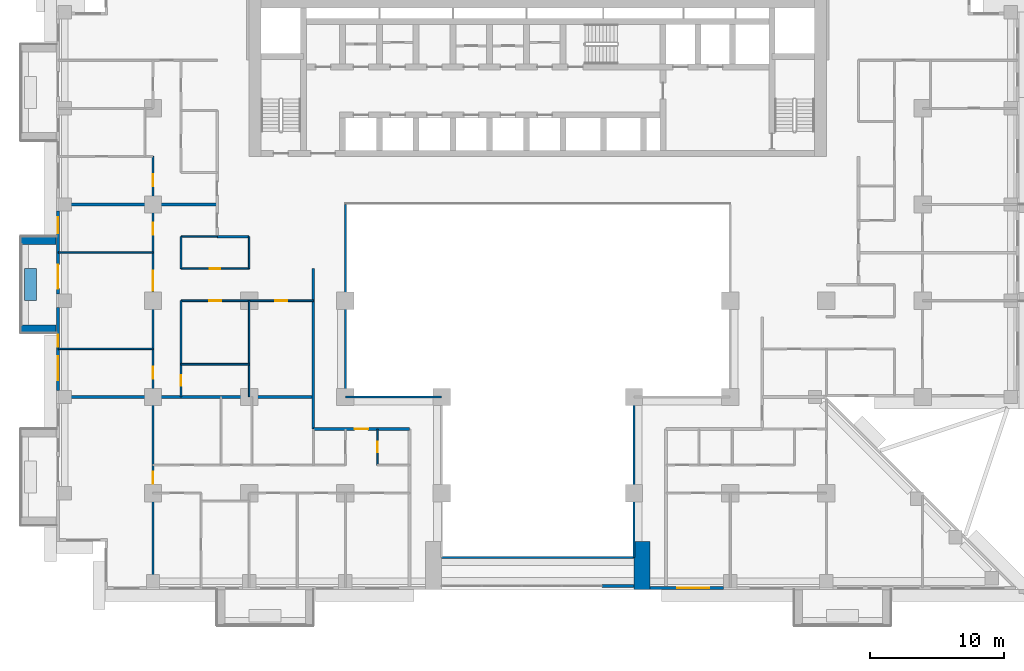
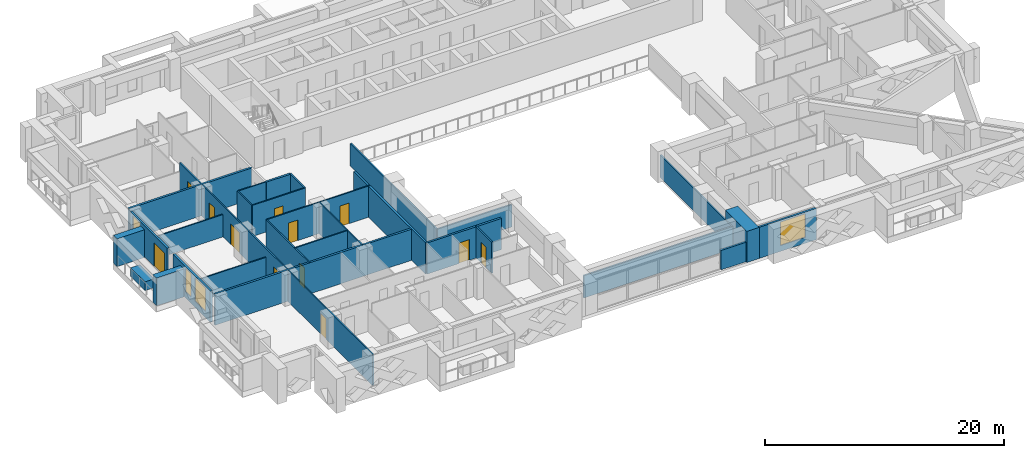
# One storey, part 7 of 17: 29 walls, 12 doors, 4 windows, 16 openings.
"""IFC4 building model written with IfcOpenShell, lengths in metres."""

import ifcopenshell
import ifcopenshell.guid

model = None  # the IFC model being written
_history = None  # IfcOwnerHistory: only IFC2X3 demands one
_inside = {}  # id of a spatial element -> (the spatial element, [elements in it])
_under = {}  # id of a project, library or spatial element -> (it, [spatial elements below it])
_declared = {}  # id of a project -> (the project, [libraries it declares])
_typed = {}  # id of a type object -> (the type object, [elements of that type])
_made_of = {}  # id of a material, layer set ... -> (it, [elements and type objects made of it])


def new_model(schema):
    """Start an empty IFC model of exactly this schema.

    Asked for "IFC4X3", IfcOpenShell would pick the latest addendum, in which some entities
    have other attributes; the version numbers below select the first issue.
    IFC2X3 requires an IfcOwnerHistory on every rooted entity: one is made here for all.
    """
    global model, _history
    if schema == "IFC4X3":
        model = ifcopenshell.file(schema_version=(4, 3, 0, 0))
    else:
        model = ifcopenshell.file(schema=schema)
    _inside.clear()
    _under.clear()
    _declared.clear()
    _typed.clear()
    _made_of.clear()
    _history = None
    if model.schema == "IFC2X3":
        org = make("IfcOrganization", Name="unknown")
        user = make(
            "IfcPersonAndOrganization",
            ThePerson=make("IfcPerson", FamilyName="unknown"),
            TheOrganization=org,
        )
        app = make(
            "IfcApplication",
            ApplicationDeveloper=org,
            Version="unknown",
            ApplicationFullName="unknown",
            ApplicationIdentifier="unknown",
        )
        _history = make(
            "IfcOwnerHistory",
            OwningUser=user,
            OwningApplication=app,
            ChangeAction="ADDED",
            CreationDate=0,
        )
    return model


def make(cls, **values):
    """One entity of the class cls with the attributes given. An attribute that is None is left unset."""
    return model.create_entity(
        cls, **{name: value for name, value in values.items() if value is not None}
    )


def rooted(cls, **values):
    """An entity with a GlobalId (a new one), such as an element, a storey or a relation."""
    return make(cls, GlobalId=ifcopenshell.guid.new(), OwnerHistory=_history, **values)


def si_unit(unit_type, name, prefix=None):
    """IfcSIUnit, for example si_unit("LENGTHUNIT", "METRE", prefix="MILLI")."""
    return make("IfcSIUnit", UnitType=unit_type, Prefix=prefix, Name=name)


def assignment(units):
    """IfcUnitAssignment: the units of a project."""
    return None if units is None else make("IfcUnitAssignment", Units=units)


def point(xyz):
    """IfcCartesianPoint."""
    return None if xyz is None else make("IfcCartesianPoint", Coordinates=xyz)


def direction(xyz):
    """IfcDirection."""
    return None if xyz is None else make("IfcDirection", DirectionRatios=xyz)


def frame(location, z_axis=None, x_axis=None):
    """IfcAxis2Placement3D, a coordinate frame: its origin and axes. An axis left out is left unset."""
    return make(
        "IfcAxis2Placement3D",
        Location=point(location),
        Axis=direction(z_axis),
        RefDirection=direction(x_axis),
    )


def frame_2d(location, x_axis=None):
    """IfcAxis2Placement2D, a coordinate frame in the plane: its origin and x axis."""
    return make(
        "IfcAxis2Placement2D", Location=point(location), RefDirection=direction(x_axis)
    )


def origin():
    """The frame at (0, 0, 0) with its axes left unset."""
    return frame((0.0, 0.0, 0.0))


def place(relative_to, where):
    """IfcLocalPlacement: puts the frame where relative to a parent placement (None: the world)."""
    return make(
        "IfcLocalPlacement", PlacementRelTo=relative_to, RelativePlacement=where
    )


def context(
    kind, dimensions, precision=None, world=None, true_north=None, identifier=None
):
    """IfcGeometricRepresentationContext, for example the 3D "Model" context."""
    return make(
        "IfcGeometricRepresentationContext",
        ContextIdentifier=identifier,
        ContextType=kind,
        CoordinateSpaceDimension=dimensions,
        Precision=precision,
        WorldCoordinateSystem=world,
        TrueNorth=true_north,
    )


def subcontext(parent, identifier, kind, view, scale=None):
    """IfcGeometricRepresentationSubContext, for example "Body" below "Model"."""
    return make(
        "IfcGeometricRepresentationSubContext",
        ContextIdentifier=identifier,
        ContextType=kind,
        ParentContext=parent,
        TargetScale=scale,
        TargetView=view,
    )


def project(units=None, contexts=None):
    """IfcProject with its units and contexts."""
    return rooted(
        "IfcProject",
        Name="project",
        RepresentationContexts=contexts,
        UnitsInContext=assignment(units),
    )


def spatial(cls, under=None, at=None, **own):
    """A site, building, storey or space (cls), placed at a placement, below another one or the project."""
    s = rooted(cls, ObjectPlacement=at, **own)
    if under is not None:
        _under.setdefault(under.id(), (under, []))[1].append(s)
    return s


def profile(cls, at=None, kind="AREA", **sizes):
    """A parametric profile (cls). Its sizes go by their IFC names, for example OverallWidth=200.0."""
    return make(cls, ProfileType=kind, Position=at, **sizes)


def rectangle(**sizes):
    """IfcRectangleProfileDef."""
    return profile("IfcRectangleProfileDef", **sizes)


def extrude(swept, where, along, depth):
    """IfcExtrudedAreaSolid: the profile swept, set in the frame where, extruded along a direction by depth."""
    return make(
        "IfcExtrudedAreaSolid",
        SweptArea=swept,
        Position=where,
        ExtrudedDirection=direction(along),
        Depth=depth,
    )


def shape(context_of_items, identifier, shape_type, items):
    """IfcShapeRepresentation: the items that make up one representation, for example the "Body"."""
    return make(
        "IfcShapeRepresentation",
        ContextOfItems=context_of_items,
        RepresentationIdentifier=identifier,
        RepresentationType=shape_type,
        Items=items,
    )


def material(Name=None, Category=None):
    """IfcMaterial."""
    return make("IfcMaterial", Name=Name, Category=Category)


def layer(
    of_material, thickness, ventilated=None, Name=None, Category=None, Priority=None
):
    """IfcMaterialLayer: one layer of a wall or slab, of a material (None: an air gap)."""
    return make(
        "IfcMaterialLayer",
        Material=of_material,
        LayerThickness=thickness,
        IsVentilated=ventilated,
        Name=Name,
        Category=Category,
        Priority=Priority,
    )


def layer_set(layers, Name=None):
    """IfcMaterialLayerSet."""
    return make("IfcMaterialLayerSet", MaterialLayers=layers, LayerSetName=Name)


def made_of(thing, what):
    """Note that an element or type object is made of a material, layer set ...; save() writes the relation."""
    if what is not None:
        _made_of.setdefault(what.id(), (what, []))[1].append(thing)
    return thing


def type_object(cls, material=None, **own):
    """A type object (cls), such as IfcWallType, which elements share."""
    return made_of(rooted(cls, **own), material)


def element(
    cls,
    number,
    at=None,
    inside=None,
    cuts=None,
    type_object=None,
    material=None,
    context=None,
    identifier="Body",
    shape_type=None,
    held_by="IfcProductDefinitionShape",
    body=None,
    shapes=None,
    **own,
):
    """One element of the class cls, such as IfcWall. Its Tag is "e" and its number.

    at: its placement. inside: the storey or other place that contains it. cuts: it is an
    opening in that element (IfcRelVoidsElement). A single representation is given by context,
    identifier, shape_type and body (its items); several are given by shapes. held_by: the class
    of the entity that holds the representations. save() writes the other relations.
    """
    e = rooted(cls, Tag="e%d" % number, ObjectPlacement=at, **own)
    if body is not None:
        shapes = [shape(context, identifier, shape_type, body)]
    if shapes is not None:
        e.Representation = make(held_by, Representations=shapes)
    if inside is not None:
        _inside.setdefault(inside.id(), (inside, []))[1].append(e)
    if cuts is not None:
        rooted(
            "IfcRelVoidsElement", RelatingBuildingElement=cuts, RelatedOpeningElement=e
        )
    if type_object is not None:
        _typed.setdefault(type_object.id(), (type_object, []))[1].append(e)
    return made_of(e, material)


def fill(opening, filler):
    """IfcRelFillsElement: the door or window that sits in an opening."""
    return rooted(
        "IfcRelFillsElement",
        RelatingOpeningElement=opening,
        RelatedBuildingElement=filler,
    )


def aggregate(whole, parts):
    """IfcRelAggregates: a whole, such as a stair, and the parts it consists of."""
    return rooted("IfcRelAggregates", RelatingObject=whole, RelatedObjects=parts)


def save(model, path):
    """Write the relations noted so far, then the file.

    IfcRelAggregates (storeys below a building ...), IfcRelContainedInSpatialStructure (elements
    in a storey), IfcRelDefinesByType, IfcRelAssociatesMaterial and IfcRelDeclares: one each for
    every whole, place, type object, material and project.
    """
    for whole, parts in _under.values():
        aggregate(whole, parts)
    for where, things in _inside.values():
        rooted(
            "IfcRelContainedInSpatialStructure",
            RelatedElements=things,
            RelatingStructure=where,
        )
    for kind, things in _typed.values():
        rooted("IfcRelDefinesByType", RelatedObjects=things, RelatingType=kind)
    for what, things in _made_of.values():
        rooted("IfcRelAssociatesMaterial", RelatedObjects=things, RelatingMaterial=what)
    for by, libraries in _declared.values():
        rooted("IfcRelDeclares", RelatingContext=by, RelatedDefinitions=libraries)
    model.write(path)


model = new_model("IFC4")

# Units and contexts
model_context = context("Model", 3, precision=1e-05, world=origin(), true_north=direction((0.0, 1.0)))
body_context = subcontext(model_context, "Body", "Model", "MODEL_VIEW")
ifc_project = project(units=[si_unit("LENGTHUNIT", "METRE"), si_unit("AREAUNIT", "SQUARE_METRE"), si_unit("VOLUMEUNIT", "CUBIC_METRE"), si_unit("PLANEANGLEUNIT", "RADIAN"), si_unit("MASSUNIT", "GRAM", prefix="KILO")], contexts=[model_context])

# Site, building, storey
site_placement = place(None, origin())
site = spatial("IfcSite", under=ifc_project, at=site_placement, CompositionType="ELEMENT")
building_placement = place(site_placement, origin())
building = spatial("IfcBuilding", under=site, at=building_placement, Name="Saffron Iwan Residences", CompositionType="ELEMENT")
storey_placement = place(building_placement, frame((0.0, 0.0, 86.5)))
storey = spatial("IfcBuildingStorey", under=building, at=storey_placement, Name="L22", CompositionType="ELEMENT", Elevation=86.5)

# Walls
ifc_material_1 = material(Name="Fire-rated glazing", Category="glass")
ifc_layer_1 = layer(ifc_material_1, 0.14990234375)
ifc_layer_set_1 = layer_set([ifc_layer_1], Name="Fire-rated glazing")
wall_type_1 = type_object("IfcWallType", Name="Atrium glazed screen 150", PredefinedType="SOLIDWALL", material=ifc_layer_set_1)
wall_1_placement = place(storey_placement, frame((43.199951171875, 36.0, 0.0), z_axis=(0.0, 0.0, 1.0), x_axis=(1.0, 0.0, 0.0)))
element("IfcWall", 1, at=wall_1_placement, inside=storey, type_object=wall_type_1, Name="W-L22-SCREEN-h36-43.2", PredefinedType="SOLIDWALL", context=body_context, shape_type="SweptSolid", body=[
    extrude(rectangle(XDim=14.400146484375, YDim=0.14990234375, at=frame_2d((7.2001953125, 0.0))), origin(), (0.0, 0.0, 1.0), 2.280029296875),
])
wall_2_placement = place(storey_placement, frame((36.0, 48.0, 0.0), z_axis=(0.0, 0.0, 1.0), x_axis=(1.0, 0.0, 0.0)))
element("IfcWall", 2, at=wall_2_placement, inside=storey, type_object=wall_type_1, Name="W-L22-SCREEN-h48-36", PredefinedType="SOLIDWALL", context=body_context, shape_type="SweptSolid", body=[
    extrude(rectangle(XDim=7.199951171875, YDim=0.14990234375, at=frame_2d((3.60009765625, 0.0))), origin(), (0.0, 0.0, 1.0), 2.280029296875),
])
wall_3_placement = place(storey_placement, frame((36.0, 48.0, 0.0), z_axis=(0.0, 0.0, 1.0), x_axis=(0.0, 1.0, 0.0)))
element("IfcWall", 3, at=wall_3_placement, inside=storey, type_object=wall_type_1, Name="W-L22-SCREEN-v36-48", PredefinedType="SOLIDWALL", context=body_context, shape_type="SweptSolid", body=[
    extrude(rectangle(XDim=14.39990234375, YDim=0.14990234375, at=frame_2d((7.199951171875, 0.0))), origin(), (0.0, 0.0, 1.0), 2.280029296875),
])
wall_4_placement = place(storey_placement, frame((57.60009765625, 36.0, 0.0), z_axis=(0.0, 0.0, 1.0), x_axis=(0.0, 1.0, 0.0)))
element("IfcWall", 4, at=wall_4_placement, inside=storey, type_object=wall_type_1, Name="W-L22-SCREEN-v57.6-36", PredefinedType="SOLIDWALL", context=body_context, shape_type="SweptSolid", body=[
    extrude(rectangle(XDim=12.0, YDim=0.14990234375, at=frame_2d((6.0, 0.0))), origin(), (0.0, 0.0, 1.0), 2.280029296875),
])
ifc_material_2 = material(Name="Concrete C50/60 white painted", Category="concrete")
ifc_layer_2 = layer(ifc_material_2, 0.60009765625)
ifc_layer_set_2 = layer_set([ifc_layer_2], Name="Concrete C50/60 white painted")
wall_type_2 = type_object("IfcWallType", Name="BALCONY FIN 600", PredefinedType="SOLIDWALL", material=ifc_layer_set_2)
for number, where, z_axis, x_axis, name in (
    (5, (14.35009765625, 59.699951171875, 0.0), (0.0, 0.0, 1.0), (-1.0, 0.0, 0.0), "Balcony fin L22 F8-1a"),
    (6, (14.35009765625, 53.10009765625, 0.0), (0.0, 0.0, 1.0), (-1.0, 0.0, 0.0), "Balcony fin L22 F8-1b"),
):
    element("IfcWall", number, at=place(storey_placement, frame(where, z_axis=z_axis, x_axis=x_axis)), inside=storey, type_object=wall_type_2, Name=name, PredefinedType="SOLIDWALL", context=body_context, shape_type="SweptSolid", body=[
        extrude(rectangle(XDim=2.650146484375, YDim=0.60009765625, at=frame_2d((1.3251953125, 0.0))), origin(), (0.0, 0.0, 1.0), 2.85009765625),
    ])
ifc_material_3 = material(Name="Concrete C35/45 white painted", Category="concrete")
ifc_layer_3 = layer(ifc_material_3, 0.14990234375)
ifc_layer_set_3 = layer_set([ifc_layer_3], Name="Concrete C35/45 white painted")
wall_type_3 = type_object("IfcWallType", Name="BALCONY PLANTER", PredefinedType="SOLIDWALL", material=ifc_layer_set_3)
wall_5_placement = place(storey_placement, frame((12.425048828125, 57.60009765625, 0.0), z_axis=(0.0, 0.0, 1.0), x_axis=(0.0, -1.0, 0.0)))
element("IfcWall", 7, at=wall_5_placement, inside=storey, type_object=wall_type_3, Name="PLANTER L22 F8-1", PredefinedType="SOLIDWALL", context=body_context, shape_type="SweptSolid", body=[
    extrude(rectangle(XDim=2.400146484375, YDim=0.89990234375, at=frame_2d((1.2001953125, 0.0))), origin(), (0.0, 0.0, 1.0), 0.89990234375),
])

# Wall, openings, door, window
ifc_material_4 = material(Name="Concrete C40/50", Category="concrete")
ifc_layer_4 = layer(ifc_material_4, 0.199951171875)
ifc_layer_set_4 = layer_set([ifc_layer_4], Name="Concrete C40/50")
wall_type_4 = type_object("IfcWallType", Name="EXTERNAL WALL 200", PredefinedType="SOLIDWALL", material=ifc_layer_set_4)
wall_6_placement = place(storey_placement, frame((14.5, 61.89990234375, 0.0), z_axis=(0.0, 0.0, 1.0), x_axis=(0.0, -1.0, 0.0)))
wall_6 = element("IfcWall", 8, at=wall_6_placement, inside=storey, type_object=wall_type_4, Name="External wall L22 F8.2", PredefinedType="SOLIDWALL", context=body_context, shape_type="SweptSolid", body=[
    extrude(rectangle(XDim=6.199951171875, YDim=0.199951171875, at=frame_2d((3.10009765625, 0.0))), origin(), (0.0, 0.0, 1.0), 3.179931640625),
])
opening_1_placement = place(wall_6_placement, frame((4.0, 0.0, 0.0)))
opening_1 = element("IfcOpeningElement", 9, at=opening_1_placement, cuts=wall_6, Name="Opening BD1", PredefinedType="OPENING", context=body_context, shape_type="SweptSolid", body=[
    extrude(rectangle(XDim=1.800048828125, YDim=2.39990234375, at=frame_2d((0.89990234375, 1.199951171875))), frame((0.0, 0.10986328125, 0.0), z_axis=(0.0, -1.0, 0.0), x_axis=(1.0, 0.0, 0.0)), (0.0, 0.0, 1.0), 0.219970703125),
])
opening_2_placement = place(wall_6_placement, frame((0.449951171875, 0.0, 0.60009765625)))
opening_2 = element("IfcOpeningElement", 10, at=opening_2_placement, cuts=wall_6, Name="Opening W3", PredefinedType="OPENING", context=body_context, shape_type="SweptSolid", body=[
    extrude(rectangle(XDim=1.199951171875, YDim=2.39990234375, at=frame_2d((0.60009765625, 1.199951171875))), frame((0.0, 0.10986328125, 0.0), z_axis=(0.0, -1.0, 0.0), x_axis=(1.0, 0.0, 0.0)), (0.0, 0.0, 1.0), 0.219970703125),
])
ifc_material_5 = material(Name="Clear glass, laminated double glazed", Category="glass")
door_type_1 = type_object("IfcDoorType", Name="BALCONY DOOR 1800 x 2400", OperationType="DOUBLE_DOOR_SLIDING", PredefinedType="DOOR", material=ifc_material_5)
door_1_placement = place(opening_1_placement, origin())
door_1 = element("IfcDoor", 11, at=door_1_placement, inside=storey, type_object=door_type_1, Name="Balcony door L22 F8.0", OperationType="DOUBLE_DOOR_SLIDING", OverallHeight=2.39990234375, OverallWidth=1.800048828125, PredefinedType="DOOR", context=body_context, shape_type="SweptSolid", body=[
    extrude(rectangle(XDim=1.800048828125, YDim=2.39990234375, at=frame_2d((0.89990234375, 1.199951171875))), frame((0.0, 0.02490234375, 0.0), z_axis=(0.0, -1.0, 0.0), x_axis=(1.0, 0.0, 0.0)), (0.0, 0.0, 1.0), 0.050048828125),
])
fill(opening_1, door_1)
window_type_1 = type_object("IfcWindowType", Name="WINDOW 1200 x 2400", PartitioningType="SINGLE_PANEL", PredefinedType="WINDOW", material=ifc_material_5)
window_1_placement = place(opening_2_placement, origin())
window_1 = element("IfcWindow", 12, at=window_1_placement, inside=storey, type_object=window_type_1, Name="Window L22 F8.1", OverallHeight=2.39990234375, OverallWidth=1.199951171875, PartitioningType="SINGLE_PANEL", PredefinedType="WINDOW", context=body_context, shape_type="SweptSolid", body=[
    extrude(rectangle(XDim=1.199951171875, YDim=2.39990234375, at=frame_2d((0.60009765625, 1.199951171875))), frame((0.0, 0.030029296875, 0.0), z_axis=(0.0, -1.0, 0.0), x_axis=(1.0, 0.0, 0.0)), (0.0, 0.0, 1.0), 0.06005859375),
])
fill(opening_2, window_1)

# Wall, openings, windows
wall_7_placement = place(storey_placement, frame((14.5, 54.699951171875, 0.0), z_axis=(0.0, 0.0, 1.0), x_axis=(0.0, -1.0, 0.0)))
wall_7 = element("IfcWall", 13, at=wall_7_placement, inside=storey, type_object=wall_type_4, Name="External wall L22 F8.3", PredefinedType="SOLIDWALL", context=body_context, shape_type="SweptSolid", body=[
    extrude(rectangle(XDim=6.199951171875, YDim=0.199951171875, at=frame_2d((3.10009765625, 0.0))), origin(), (0.0, 0.0, 1.0), 3.179931640625),
])
opening_3_placement = place(wall_7_placement, frame((3.64990234375, 0.0, 0.60009765625)))
opening_3 = element("IfcOpeningElement", 14, at=opening_3_placement, cuts=wall_7, Name="Opening W8", PredefinedType="OPENING", context=body_context, shape_type="SweptSolid", body=[
    extrude(rectangle(XDim=1.800048828125, YDim=2.39990234375, at=frame_2d((0.89990234375, 1.199951171875))), frame((0.0, 0.10986328125, 0.0), z_axis=(0.0, -1.0, 0.0), x_axis=(1.0, 0.0, 0.0)), (0.0, 0.0, 1.0), 0.219970703125),
])
opening_4_placement = place(wall_7_placement, frame((2.050048828125, 0.0, 0.60009765625)))
opening_4 = element("IfcOpeningElement", 15, at=opening_4_placement, cuts=wall_7, Name="Opening W10", PredefinedType="OPENING", context=body_context, shape_type="SweptSolid", body=[
    extrude(rectangle(XDim=0.89990234375, YDim=2.39990234375, at=frame_2d((0.449951171875, 1.199951171875))), frame((0.0, 0.10986328125, 0.0), z_axis=(0.0, -1.0, 0.0), x_axis=(1.0, 0.0, 0.0)), (0.0, 0.0, 1.0), 0.219970703125),
])
window_type_2 = type_object("IfcWindowType", Name="WINDOW 1800 x 2400", PartitioningType="DOUBLE_PANEL_VERTICAL", PredefinedType="WINDOW", material=ifc_material_5)
window_2_placement = place(opening_3_placement, origin())
window_2 = element("IfcWindow", 16, at=window_2_placement, inside=storey, type_object=window_type_2, Name="Window L22 F8.0", OverallHeight=2.39990234375, OverallWidth=1.800048828125, PartitioningType="DOUBLE_PANEL_VERTICAL", PredefinedType="WINDOW", context=body_context, shape_type="SweptSolid", body=[
    extrude(rectangle(XDim=1.800048828125, YDim=2.39990234375, at=frame_2d((0.89990234375, 1.199951171875))), frame((0.0, 0.030029296875, 0.0), z_axis=(0.0, -1.0, 0.0), x_axis=(1.0, 0.0, 0.0)), (0.0, 0.0, 1.0), 0.06005859375),
])
fill(opening_3, window_2)
window_type_3 = type_object("IfcWindowType", Name="WINDOW 900 x 2400", PartitioningType="SINGLE_PANEL", PredefinedType="WINDOW", material=ifc_material_5)
window_3_placement = place(opening_4_placement, origin())
window_3 = element("IfcWindow", 17, at=window_3_placement, inside=storey, type_object=window_type_3, Name="Window L22 F8.1", OverallHeight=2.39990234375, OverallWidth=0.89990234375, PartitioningType="SINGLE_PANEL", PredefinedType="WINDOW", context=body_context, shape_type="SweptSolid", body=[
    extrude(rectangle(XDim=0.89990234375, YDim=2.39990234375, at=frame_2d((0.449951171875, 1.199951171875))), frame((0.0, 0.030029296875, 0.0), z_axis=(0.0, -1.0, 0.0), x_axis=(1.0, 0.0, 0.0)), (0.0, 0.0, 1.0), 0.06005859375),
])
fill(opening_4, window_3)

# Wall, opening, window
wall_8_placement = place(storey_placement, frame((58.800048828125, 33.699951171875, 0.0), z_axis=(0.0, 0.0, 1.0), x_axis=(1.0, 0.0, 0.0)))
wall_8 = element("IfcWall", 18, at=wall_8_placement, inside=storey, type_object=wall_type_4, Name="External wall L22 F11.4", PredefinedType="SOLIDWALL", context=body_context, shape_type="SweptSolid", body=[
    extrude(rectangle(XDim=5.5, YDim=0.199951171875, at=frame_2d((2.75, 0.0))), origin(), (0.0, 0.0, 1.0), 3.179931640625),
])
opening_5_placement = place(wall_8_placement, frame((2.050048828125, 0.0, 0.60009765625)))
opening_5 = element("IfcOpeningElement", 19, at=opening_5_placement, cuts=wall_8, Name="Opening W1", PredefinedType="OPENING", context=body_context, shape_type="SweptSolid", body=[
    extrude(rectangle(XDim=2.39990234375, YDim=2.39990234375, at=frame_2d((1.199951171875, 1.199951171875))), frame((0.0, 0.10986328125, 0.0), z_axis=(0.0, -1.0, 0.0), x_axis=(1.0, 0.0, 0.0)), (0.0, 0.0, 1.0), 0.219970703125),
])
window_type_4 = type_object("IfcWindowType", Name="WINDOW 2400 x 2400", PartitioningType="DOUBLE_PANEL_VERTICAL", PredefinedType="WINDOW", material=ifc_material_5)
window_4_placement = place(opening_5_placement, origin())
window_4 = element("IfcWindow", 20, at=window_4_placement, inside=storey, type_object=window_type_4, Name="Window L22 F11.0", OverallHeight=2.39990234375, OverallWidth=2.39990234375, PartitioningType="DOUBLE_PANEL_VERTICAL", PredefinedType="WINDOW", context=body_context, shape_type="SweptSolid", body=[
    extrude(rectangle(XDim=2.39990234375, YDim=2.39990234375, at=frame_2d((1.199951171875, 1.199951171875))), frame((0.0, 0.030029296875, 0.0), z_axis=(0.0, -1.0, 0.0), x_axis=(1.0, 0.0, 0.0)), (0.0, 0.0, 1.0), 0.06005859375),
])
fill(opening_5, window_4)

# Walls
wall_9_placement = place(storey_placement, frame((55.199951171875, 33.85009765625, 0.0), z_axis=(0.0, 0.0, 1.0), x_axis=(1.0, 0.0, 0.0)))
element("IfcWall", 21, at=wall_9_placement, inside=storey, type_object=wall_type_4, Name="External wall infill CWB-L22-0", PredefinedType="SOLIDWALL", context=body_context, shape_type="SweptSolid", body=[
    extrude(rectangle(XDim=2.400146484375, YDim=0.199951171875, at=frame_2d((1.2001953125, 0.0))), origin(), (0.0, 0.0, 1.0), 1.97998046875),
])
ifc_material_6 = material(Name="Fire-rated gypsum board wall")
ifc_layer_5 = layer(ifc_material_6, 0.199951171875)
ifc_layer_set_5 = layer_set([ifc_layer_5], Name="Fire-rated gypsum board wall")
wall_type_5 = type_object("IfcWallType", Name="Flat demising wall 200", PredefinedType="SOLIDWALL", material=ifc_layer_set_5)
wall_10_placement = place(storey_placement, frame((14.52490234375, 48.0, 0.0), z_axis=(0.0, 0.0, 1.0), x_axis=(1.0, 0.0, 0.0)))
element("IfcWall", 22, at=wall_10_placement, inside=storey, type_object=wall_type_5, Name="W-L22-DEMISE-h48-14.525", PredefinedType="SOLIDWALL", context=body_context, shape_type="SweptSolid", body=[
    extrude(rectangle(XDim=19.0751953125, YDim=0.199951171875, at=frame_2d((9.53759765625, 0.0))), origin(), (0.0, 0.0, 1.0), 3.179931640625),
])
wall_11_placement = place(storey_placement, frame((14.52490234375, 62.39990234375, 0.0), z_axis=(0.0, 0.0, 1.0), x_axis=(1.0, 0.0, 0.0)))
element("IfcWall", 23, at=wall_11_placement, inside=storey, type_object=wall_type_5, Name="W-L22-DEMISE-h62.4-14.525", PredefinedType="SOLIDWALL", context=body_context, shape_type="SweptSolid", body=[
    extrude(rectangle(XDim=11.875, YDim=0.199951171875, at=frame_2d((5.9375, 0.0))), origin(), (0.0, 0.0, 1.0), 3.179931640625),
])
ifc_material_7 = material(Name="Gypsum board partition")
ifc_layer_6 = layer(ifc_material_7, 0.1201171875)
ifc_layer_set_6 = layer_set([ifc_layer_6], Name="Gypsum board partition")
wall_type_6 = type_object("IfcWallType", Name="Flat partition 120", PredefinedType="PARTITIONING", material=ifc_layer_set_6)
wall_12_placement = place(storey_placement, frame((23.699951171875, 50.449951171875, 0.0), z_axis=(0.0, 0.0, 1.0), x_axis=(1.0, 0.0, 0.0)))
element("IfcWall", 24, at=wall_12_placement, inside=storey, type_object=wall_type_6, Name="W-L22-PART-h50.45-23.7", PredefinedType="PARTITIONING", context=body_context, shape_type="SweptSolid", body=[
    extrude(rectangle(XDim=5.10009765625, YDim=0.1201171875, at=frame_2d((2.550048828125, 0.0))), origin(), (0.0, 0.0, 1.0), 3.179931640625),
])
wall_13_placement = place(storey_placement, frame((14.52490234375, 51.60009765625, 0.0), z_axis=(0.0, 0.0, 1.0), x_axis=(1.0, 0.0, 0.0)))
element("IfcWall", 25, at=wall_13_placement, inside=storey, type_object=wall_type_6, Name="W-L22-PART-h51.6-14.525", PredefinedType="PARTITIONING", context=body_context, shape_type="SweptSolid", body=[
    extrude(rectangle(XDim=7.0751953125, YDim=0.1201171875, at=frame_2d((3.53759765625, 0.0))), origin(), (0.0, 0.0, 1.0), 2.280029296875),
])

# Wall, openings, doors
wall_14_placement = place(storey_placement, frame((23.699951171875, 55.199951171875, 0.0), z_axis=(0.0, 0.0, 1.0), x_axis=(1.0, 0.0, 0.0)))
wall_14 = element("IfcWall", 26, at=wall_14_placement, inside=storey, type_object=wall_type_6, Name="W-L22-PART-h55.2-23.7", PredefinedType="PARTITIONING", context=body_context, shape_type="SweptSolid", body=[
    extrude(rectangle(XDim=9.900146484375, YDim=0.1201171875, at=frame_2d((4.9501953125, 0.0))), origin(), (0.0, 0.0, 1.0), 3.179931640625),
])
opening_6_placement = place(wall_14_placement, frame((2.10009765625, 0.0, 0.0)))
opening_6 = element("IfcOpeningElement", 27, at=opening_6_placement, cuts=wall_14, Name="Opening FD2", PredefinedType="OPENING", context=body_context, shape_type="SweptSolid", body=[
    extrude(rectangle(XDim=0.89990234375, YDim=2.10009765625, at=frame_2d((0.449951171875, 1.050048828125))), frame((0.0, 0.070068359375, 0.0), z_axis=(0.0, -1.0, 0.0), x_axis=(1.0, 0.0, 0.0)), (0.0, 0.0, 1.0), 0.14013671875),
])
opening_7_placement = place(wall_14_placement, frame((7.050048828125, 0.0, 0.0)))
opening_7 = element("IfcOpeningElement", 28, at=opening_7_placement, cuts=wall_14, Name="Opening FD2", PredefinedType="OPENING", context=body_context, shape_type="SweptSolid", body=[
    extrude(rectangle(XDim=0.89990234375, YDim=2.10009765625, at=frame_2d((0.449951171875, 1.050048828125))), frame((0.0, 0.070068359375, 0.0), z_axis=(0.0, -1.0, 0.0), x_axis=(1.0, 0.0, 0.0)), (0.0, 0.0, 1.0), 0.14013671875),
])
ifc_material_8 = material(Name="Timber door", Category="wood")
door_type_2 = type_object("IfcDoorType", Name="Flat door 900", OperationType="NOTDEFINED", PredefinedType="DOOR", material=ifc_material_8)
door_2_placement = place(opening_6_placement, origin())
door_2 = element("IfcDoor", 29, at=door_2_placement, inside=storey, type_object=door_type_2, Name="Door L22-018", OperationType="SINGLE_SWING_RIGHT", OverallHeight=2.10009765625, OverallWidth=0.89990234375, PredefinedType="DOOR", context=body_context, shape_type="SweptSolid", body=[
    extrude(rectangle(XDim=0.89990234375, YDim=2.10009765625, at=frame_2d((0.449951171875, 1.050048828125))), frame((0.0, 0.02490234375, 0.0), z_axis=(0.0, -1.0, 0.0), x_axis=(1.0, 0.0, 0.0)), (0.0, 0.0, 1.0), 0.050048828125),
])
fill(opening_6, door_2)
door_3_placement = place(opening_7_placement, origin())
door_3 = element("IfcDoor", 30, at=door_3_placement, inside=storey, type_object=door_type_2, Name="Door L22-020", OperationType="SINGLE_SWING_LEFT", OverallHeight=2.10009765625, OverallWidth=0.89990234375, PredefinedType="DOOR", context=body_context, shape_type="SweptSolid", body=[
    extrude(rectangle(XDim=0.89990234375, YDim=2.10009765625, at=frame_2d((0.449951171875, 1.050048828125))), frame((0.0, 0.02490234375, 0.0), z_axis=(0.0, -1.0, 0.0), x_axis=(1.0, 0.0, 0.0)), (0.0, 0.0, 1.0), 0.050048828125),
])
fill(opening_7, door_3)

# Wall, opening, door
wall_15_placement = place(storey_placement, frame((23.699951171875, 57.60009765625, 0.0), z_axis=(0.0, 0.0, 1.0), x_axis=(1.0, 0.0, 0.0)))
wall_15 = element("IfcWall", 31, at=wall_15_placement, inside=storey, type_object=wall_type_6, Name="W-L22-PART-h57.6-23.7", PredefinedType="PARTITIONING", context=body_context, shape_type="SweptSolid", body=[
    extrude(rectangle(XDim=5.10009765625, YDim=0.1201171875, at=frame_2d((2.550048828125, 0.0))), origin(), (0.0, 0.0, 1.0), 3.179931640625),
])
opening_8_placement = place(wall_15_placement, frame((2.14990234375, 0.0, 0.0)))
opening_8 = element("IfcOpeningElement", 32, at=opening_8_placement, cuts=wall_15, Name="Opening FD3", PredefinedType="OPENING", context=body_context, shape_type="SweptSolid", body=[
    extrude(rectangle(XDim=0.800048828125, YDim=2.10009765625, at=frame_2d((0.39990234375, 1.050048828125))), frame((0.0, 0.070068359375, 0.0), z_axis=(0.0, -1.0, 0.0), x_axis=(1.0, 0.0, 0.0)), (0.0, 0.0, 1.0), 0.14013671875),
])
door_type_3 = type_object("IfcDoorType", Name="Bathroom door 800", OperationType="NOTDEFINED", PredefinedType="DOOR", material=ifc_material_8)
door_4_placement = place(opening_8_placement, origin())
door_4 = element("IfcDoor", 33, at=door_4_placement, inside=storey, type_object=door_type_3, Name="Door L22-019", OperationType="SINGLE_SWING_LEFT", OverallHeight=2.10009765625, OverallWidth=0.800048828125, PredefinedType="DOOR", context=body_context, shape_type="SweptSolid", body=[
    extrude(rectangle(XDim=0.800048828125, YDim=2.10009765625, at=frame_2d((0.39990234375, 1.050048828125))), frame((0.0, 0.02490234375, 0.0), z_axis=(0.0, -1.0, 0.0), x_axis=(1.0, 0.0, 0.0)), (0.0, 0.0, 1.0), 0.050048828125),
])
fill(opening_8, door_4)

# Walls
wall_16_placement = place(storey_placement, frame((14.52490234375, 58.800048828125, 0.0), z_axis=(0.0, 0.0, 1.0), x_axis=(1.0, 0.0, 0.0)))
element("IfcWall", 34, at=wall_16_placement, inside=storey, type_object=wall_type_6, Name="W-L22-PART-h58.8-14.525", PredefinedType="PARTITIONING", context=body_context, shape_type="SweptSolid", body=[
    extrude(rectangle(XDim=7.0751953125, YDim=0.1201171875, at=frame_2d((3.53759765625, 0.0))), origin(), (0.0, 0.0, 1.0), 2.280029296875),
])
wall_17_placement = place(storey_placement, frame((23.699951171875, 60.0, 0.0), z_axis=(0.0, 0.0, 1.0), x_axis=(1.0, 0.0, 0.0)))
element("IfcWall", 35, at=wall_17_placement, inside=storey, type_object=wall_type_6, Name="W-L22-PART-h60-23.7", PredefinedType="PARTITIONING", context=body_context, shape_type="SweptSolid", body=[
    extrude(rectangle(XDim=2.699951171875, YDim=0.1201171875, at=frame_2d((1.35009765625, 0.0))), origin(), (0.0, 0.0, 1.0), 3.179931640625),
])

# Wall, openings, doors
wall_18_placement = place(storey_placement, frame((21.60009765625, 33.72509765625, 0.0), z_axis=(0.0, 0.0, 1.0), x_axis=(0.0, 1.0, 0.0)))
wall_18 = element("IfcWall", 36, at=wall_18_placement, inside=storey, type_object=wall_type_6, Name="W-L22-PART-v21.6-33.725", PredefinedType="PARTITIONING", context=body_context, shape_type="SweptSolid", body=[
    extrude(rectangle(XDim=32.27490234375, YDim=0.1201171875, at=frame_2d((16.137451171875, 0.0))), origin(), (0.0, 0.0, 1.0), 3.179931640625),
])
opening_9_placement = place(wall_18_placement, frame((7.77490234375, 0.0, 0.0)))
opening_9 = element("IfcOpeningElement", 37, at=opening_9_placement, cuts=wall_18, Name="Opening FD2", PredefinedType="OPENING", context=body_context, shape_type="SweptSolid", body=[
    extrude(rectangle(XDim=0.89990234375, YDim=2.10009765625, at=frame_2d((0.449951171875, 1.050048828125))), frame((0.0, 0.070068359375, 0.0), z_axis=(0.0, -1.0, 0.0), x_axis=(1.0, 0.0, 0.0)), (0.0, 0.0, 1.0), 0.14013671875),
])
opening_10_placement = place(wall_18_placement, frame((15.625, 0.0, 0.0)))
opening_10 = element("IfcOpeningElement", 38, at=opening_10_placement, cuts=wall_18, Name="Opening FD2", PredefinedType="OPENING", context=body_context, shape_type="SweptSolid", body=[
    extrude(rectangle(XDim=0.89990234375, YDim=2.10009765625, at=frame_2d((0.449951171875, 1.050048828125))), frame((0.0, 0.070068359375, 0.0), z_axis=(0.0, -1.0, 0.0), x_axis=(1.0, 0.0, 0.0)), (0.0, 0.0, 1.0), 0.14013671875),
])
opening_11_placement = place(wall_18_placement, frame((22.22509765625, 0.0, 0.0)))
opening_11 = element("IfcOpeningElement", 39, at=opening_11_placement, cuts=wall_18, Name="Opening FD4", PredefinedType="OPENING", context=body_context, shape_type="SweptSolid", body=[
    extrude(rectangle(XDim=1.5, YDim=2.10009765625, at=frame_2d((0.75, 1.050048828125))), frame((0.0, 0.070068359375, 0.0), z_axis=(0.0, -1.0, 0.0), x_axis=(1.0, 0.0, 0.0)), (0.0, 0.0, 1.0), 0.14013671875),
])
opening_12_placement = place(wall_18_placement, frame((26.425048828125, 0.0, 0.0)))
opening_12 = element("IfcOpeningElement", 40, at=opening_12_placement, cuts=wall_18, Name="Opening FD2", PredefinedType="OPENING", context=body_context, shape_type="SweptSolid", body=[
    extrude(rectangle(XDim=0.89990234375, YDim=2.10009765625, at=frame_2d((0.449951171875, 1.050048828125))), frame((0.0, 0.070068359375, 0.0), z_axis=(0.0, -1.0, 0.0), x_axis=(1.0, 0.0, 0.0)), (0.0, 0.0, 1.0), 0.14013671875),
])
opening_13_placement = place(wall_18_placement, frame((30.02490234375, 0.0, 0.0)))
opening_13 = element("IfcOpeningElement", 41, at=opening_13_placement, cuts=wall_18, Name="Opening FD2", PredefinedType="OPENING", context=body_context, shape_type="SweptSolid", body=[
    extrude(rectangle(XDim=0.89990234375, YDim=2.10009765625, at=frame_2d((0.449951171875, 1.050048828125))), frame((0.0, 0.070068359375, 0.0), z_axis=(0.0, -1.0, 0.0), x_axis=(1.0, 0.0, 0.0)), (0.0, 0.0, 1.0), 0.14013671875),
])
door_type_4 = type_object("IfcDoorType", Name="Double door 1500", OperationType="NOTDEFINED", PredefinedType="DOOR", material=ifc_material_8)
door_5_placement = place(opening_11_placement, origin())
door_5 = element("IfcDoor", 42, at=door_5_placement, inside=storey, type_object=door_type_4, Name="Door L22-015", OperationType="SINGLE_SWING_LEFT", OverallHeight=2.10009765625, OverallWidth=1.5, PredefinedType="DOOR", context=body_context, shape_type="SweptSolid", body=[
    extrude(rectangle(XDim=1.5, YDim=2.10009765625, at=frame_2d((0.75, 1.050048828125))), frame((0.0, 0.02490234375, 0.0), z_axis=(0.0, -1.0, 0.0), x_axis=(1.0, 0.0, 0.0)), (0.0, 0.0, 1.0), 0.050048828125),
])
fill(opening_11, door_5)
door_6_placement = place(opening_9_placement, origin())
door_6 = element("IfcDoor", 43, at=door_6_placement, inside=storey, type_object=door_type_2, Name="Door L22-002", OperationType="SINGLE_SWING_RIGHT", OverallHeight=2.10009765625, OverallWidth=0.89990234375, PredefinedType="DOOR", context=body_context, shape_type="SweptSolid", body=[
    extrude(rectangle(XDim=0.89990234375, YDim=2.10009765625, at=frame_2d((0.449951171875, 1.050048828125))), frame((0.0, 0.02490234375, 0.0), z_axis=(0.0, -1.0, 0.0), x_axis=(1.0, 0.0, 0.0)), (0.0, 0.0, 1.0), 0.050048828125),
])
fill(opening_9, door_6)
door_7_placement = place(opening_10_placement, origin())
door_7 = element("IfcDoor", 44, at=door_7_placement, inside=storey, type_object=door_type_2, Name="Door L22-014", OperationType="SINGLE_SWING_LEFT", OverallHeight=2.10009765625, OverallWidth=0.89990234375, PredefinedType="DOOR", context=body_context, shape_type="SweptSolid", body=[
    extrude(rectangle(XDim=0.89990234375, YDim=2.10009765625, at=frame_2d((0.449951171875, 1.050048828125))), frame((0.0, 0.02490234375, 0.0), z_axis=(0.0, -1.0, 0.0), x_axis=(1.0, 0.0, 0.0)), (0.0, 0.0, 1.0), 0.050048828125),
])
fill(opening_10, door_7)
door_8_placement = place(opening_12_placement, origin())
door_8 = element("IfcDoor", 45, at=door_8_placement, inside=storey, type_object=door_type_2, Name="Door L22-016", OperationType="SINGLE_SWING_LEFT", OverallHeight=2.10009765625, OverallWidth=0.89990234375, PredefinedType="DOOR", context=body_context, shape_type="SweptSolid", body=[
    extrude(rectangle(XDim=0.89990234375, YDim=2.10009765625, at=frame_2d((0.449951171875, 1.050048828125))), frame((0.0, 0.02490234375, 0.0), z_axis=(0.0, -1.0, 0.0), x_axis=(1.0, 0.0, 0.0)), (0.0, 0.0, 1.0), 0.050048828125),
])
fill(opening_12, door_8)
door_9_placement = place(opening_13_placement, origin())
door_9 = element("IfcDoor", 46, at=door_9_placement, inside=storey, type_object=door_type_2, Name="Door L22-028", OperationType="SINGLE_SWING_LEFT", OverallHeight=2.10009765625, OverallWidth=0.89990234375, PredefinedType="DOOR", context=body_context, shape_type="SweptSolid", body=[
    extrude(rectangle(XDim=0.89990234375, YDim=2.10009765625, at=frame_2d((0.449951171875, 1.050048828125))), frame((0.0, 0.02490234375, 0.0), z_axis=(0.0, -1.0, 0.0), x_axis=(1.0, 0.0, 0.0)), (0.0, 0.0, 1.0), 0.050048828125),
])
fill(opening_13, door_9)

# Wall, opening, door
wall_19_placement = place(storey_placement, frame((23.699951171875, 48.0, 0.0), z_axis=(0.0, 0.0, 1.0), x_axis=(0.0, 1.0, 0.0)))
wall_19 = element("IfcWall", 47, at=wall_19_placement, inside=storey, type_object=wall_type_6, Name="W-L22-PART-v23.7-48", PredefinedType="PARTITIONING", context=body_context, shape_type="SweptSolid", body=[
    extrude(rectangle(XDim=7.199951171875, YDim=0.1201171875, at=frame_2d((3.60009765625, 0.0))), origin(), (0.0, 0.0, 1.0), 3.179931640625),
])
opening_14_placement = place(wall_19_placement, frame((0.824951171875, 0.0, 0.0)))
opening_14 = element("IfcOpeningElement", 48, at=opening_14_placement, cuts=wall_19, Name="Opening FD3", PredefinedType="OPENING", context=body_context, shape_type="SweptSolid", body=[
    extrude(rectangle(XDim=0.800048828125, YDim=2.10009765625, at=frame_2d((0.39990234375, 1.050048828125))), frame((0.0, 0.070068359375, 0.0), z_axis=(0.0, -1.0, 0.0), x_axis=(1.0, 0.0, 0.0)), (0.0, 0.0, 1.0), 0.14013671875),
])
door_10_placement = place(opening_14_placement, origin())
door_10 = element("IfcDoor", 49, at=door_10_placement, inside=storey, type_object=door_type_3, Name="Door L22-017", OperationType="SINGLE_SWING_LEFT", OverallHeight=2.10009765625, OverallWidth=0.800048828125, PredefinedType="DOOR", context=body_context, shape_type="SweptSolid", body=[
    extrude(rectangle(XDim=0.800048828125, YDim=2.10009765625, at=frame_2d((0.39990234375, 1.050048828125))), frame((0.0, 0.02490234375, 0.0), z_axis=(0.0, -1.0, 0.0), x_axis=(1.0, 0.0, 0.0)), (0.0, 0.0, 1.0), 0.050048828125),
])
fill(opening_14, door_10)

# Walls
wall_20_placement = place(storey_placement, frame((23.699951171875, 57.60009765625, 0.0), z_axis=(0.0, 0.0, 1.0), x_axis=(0.0, 1.0, 0.0)))
element("IfcWall", 50, at=wall_20_placement, inside=storey, type_object=wall_type_6, Name="W-L22-PART-v23.7-57.6", PredefinedType="PARTITIONING", context=body_context, shape_type="SweptSolid", body=[
    extrude(rectangle(XDim=2.39990234375, YDim=0.1201171875, at=frame_2d((1.199951171875, 0.0))), origin(), (0.0, 0.0, 1.0), 3.179931640625),
])
wall_21_placement = place(storey_placement, frame((28.800048828125, 48.0, 0.0), z_axis=(0.0, 0.0, 1.0), x_axis=(0.0, 1.0, 0.0)))
element("IfcWall", 51, at=wall_21_placement, inside=storey, type_object=wall_type_6, Name="W-L22-PART-v28.8-48", PredefinedType="PARTITIONING", context=body_context, shape_type="SweptSolid", body=[
    extrude(rectangle(XDim=7.199951171875, YDim=0.1201171875, at=frame_2d((3.60009765625, 0.0))), origin(), (0.0, 0.0, 1.0), 3.179931640625),
])
wall_22_placement = place(storey_placement, frame((28.800048828125, 57.60009765625, 0.0), z_axis=(0.0, 0.0, 1.0), x_axis=(0.0, 1.0, 0.0)))
element("IfcWall", 52, at=wall_22_placement, inside=storey, type_object=wall_type_6, Name="W-L22-PART-v28.8-57.6", PredefinedType="PARTITIONING", context=body_context, shape_type="SweptSolid", body=[
    extrude(rectangle(XDim=2.39990234375, YDim=0.1201171875, at=frame_2d((1.199951171875, 0.0))), origin(), (0.0, 0.0, 1.0), 3.179931640625),
])

# Wall, opening, door
wall_23_placement = place(storey_placement, frame((38.39990234375, 42.89990234375, 0.0), z_axis=(0.0, 0.0, 1.0), x_axis=(0.0, 1.0, 0.0)))
wall_23 = element("IfcWall", 53, at=wall_23_placement, inside=storey, type_object=wall_type_6, Name="W-L22-PART-v38.4-42.9", PredefinedType="PARTITIONING", context=body_context, shape_type="SweptSolid", body=[
    extrude(rectangle(XDim=2.7001953125, YDim=0.1201171875, at=frame_2d((1.35009765625, 0.0))), origin(), (0.0, 0.0, 1.0), 3.179931640625),
])
opening_15_placement = place(wall_23_placement, frame((0.949951171875, 0.0, 0.0)))
opening_15 = element("IfcOpeningElement", 54, at=opening_15_placement, cuts=wall_23, Name="Opening FD3", PredefinedType="OPENING", context=body_context, shape_type="SweptSolid", body=[
    extrude(rectangle(XDim=0.800048828125, YDim=2.10009765625, at=frame_2d((0.39990234375, 1.050048828125))), frame((0.0, 0.070068359375, 0.0), z_axis=(0.0, -1.0, 0.0), x_axis=(1.0, 0.0, 0.0)), (0.0, 0.0, 1.0), 0.14013671875),
])
door_11_placement = place(opening_15_placement, origin())
door_11 = element("IfcDoor", 55, at=door_11_placement, inside=storey, type_object=door_type_3, Name="Door L22-012", OperationType="SINGLE_SWING_RIGHT", OverallHeight=2.10009765625, OverallWidth=0.800048828125, PredefinedType="DOOR", context=body_context, shape_type="SweptSolid", body=[
    extrude(rectangle(XDim=0.800048828125, YDim=2.10009765625, at=frame_2d((0.39990234375, 1.050048828125))), frame((0.0, 0.02490234375, 0.0), z_axis=(0.0, -1.0, 0.0), x_axis=(1.0, 0.0, 0.0)), (0.0, 0.0, 1.0), 0.050048828125),
])
fill(opening_15, door_11)

ifc_layer_7 = layer(ifc_material_6, 0.199951171875)
ifc_layer_set_7 = layer_set([ifc_layer_7], Name="Fire-rated gypsum board wall")
wall_type_7 = type_object("IfcWallType", Name="Gallery wall 200", PredefinedType="SOLIDWALL", material=ifc_layer_set_7)
wall_24_placement = place(storey_placement, frame((33.60009765625, 45.60009765625, 0.0), z_axis=(0.0, 0.0, 1.0), x_axis=(1.0, 0.0, 0.0)))
wall_24 = element("IfcWall", 56, at=wall_24_placement, inside=storey, type_object=wall_type_7, Name="W-L22-CORR-h45.6-33.6", PredefinedType="SOLIDWALL", context=body_context, shape_type="SweptSolid", body=[
    extrude(rectangle(XDim=7.199951171875, YDim=0.199951171875, at=frame_2d((3.60009765625, 0.0))), origin(), (0.0, 0.0, 1.0), 3.179931640625),
])
opening_16_placement = place(wall_24_placement, frame((3.10009765625, 0.0, 0.0)))
opening_16 = element("IfcOpeningElement", 57, at=opening_16_placement, cuts=wall_24, Name="Opening FD1", PredefinedType="OPENING", context=body_context, shape_type="SweptSolid", body=[
    extrude(rectangle(XDim=1.0, YDim=2.10009765625, at=frame_2d((0.5, 1.050048828125))), frame((0.0, 0.10986328125, 0.0), z_axis=(0.0, -1.0, 0.0), x_axis=(1.0, 0.0, 0.0)), (0.0, 0.0, 1.0), 0.219970703125),
])
ifc_material_9 = material(Name="Fire-rated timber door", Category="wood")
door_type_5 = type_object("IfcDoorType", Name="FD30S flat entrance door 1000", OperationType="NOTDEFINED", PredefinedType="DOOR", material=ifc_material_9)
door_12_placement = place(opening_16_placement, origin())
door_12 = element("IfcDoor", 58, at=door_12_placement, inside=storey, type_object=door_type_5, Name="Door L22-001", OperationType="SINGLE_SWING_LEFT", OverallHeight=2.10009765625, OverallWidth=1.0, PredefinedType="DOOR", context=body_context, shape_type="SweptSolid", body=[
    extrude(rectangle(XDim=1.0, YDim=2.10009765625, at=frame_2d((0.5, 1.050048828125))), frame((0.0, 0.02490234375, 0.0), z_axis=(0.0, -1.0, 0.0), x_axis=(1.0, 0.0, 0.0)), (0.0, 0.0, 1.0), 0.050048828125),
])
fill(opening_16, door_12)

# Walls
wall_25_placement = place(storey_placement, frame((26.39990234375, 60.0, 0.0), z_axis=(0.0, 0.0, 1.0), x_axis=(1.0, 0.0, 0.0)))
element("IfcWall", 59, at=wall_25_placement, inside=storey, type_object=wall_type_7, Name="W-L22-CORR-h60-26.4", PredefinedType="SOLIDWALL", context=body_context, shape_type="SweptSolid", body=[
    extrude(rectangle(XDim=2.400146484375, YDim=0.199951171875, at=frame_2d((1.2001953125, 0.0))), origin(), (0.0, 0.0, 1.0), 3.179931640625),
])
wall_26_placement = place(storey_placement, frame((33.60009765625, 45.60009765625, 0.0), z_axis=(0.0, 0.0, 1.0), x_axis=(0.0, 1.0, 0.0)))
element("IfcWall", 60, at=wall_26_placement, inside=storey, type_object=wall_type_7, Name="W-L22-CORR-v33.6-45.6", PredefinedType="SOLIDWALL", context=body_context, shape_type="SweptSolid", body=[
    extrude(rectangle(XDim=12.0, YDim=0.199951171875, at=frame_2d((6.0, 0.0))), origin(), (0.0, 0.0, 1.0), 3.179931640625),
])
ifc_material_10 = material(Name="Concrete C60/75", Category="concrete")
ifc_layer_8 = layer(ifc_material_10, 1.199951171875)
ifc_layer_set_8 = layer_set([ifc_layer_8], Name="Concrete C60/75")
wall_type_8 = type_object("IfcWallType", Name="WALL IWAN PIER 1200 C60/75 3180 HIGH", PredefinedType="SHEAR", material=ifc_layer_set_8)
wall_27_placement = place(storey_placement, frame((58.199951171875, 33.60009765625, 0.0), z_axis=(0.0, 0.0, 1.0), x_axis=(0.0, 1.0, 0.0)))
element("IfcWall", 61, at=wall_27_placement, inside=storey, type_object=wall_type_8, Name="IWAN PIER", PredefinedType="SHEAR", context=body_context, shape_type="SweptSolid", body=[
    extrude(rectangle(XDim=3.599853515625, YDim=1.199951171875, at=frame_2d((1.7998046875, 0.0))), origin(), (0.0, 0.0, 1.0), 3.179931640625),
])

save(model, "model.ifc")
